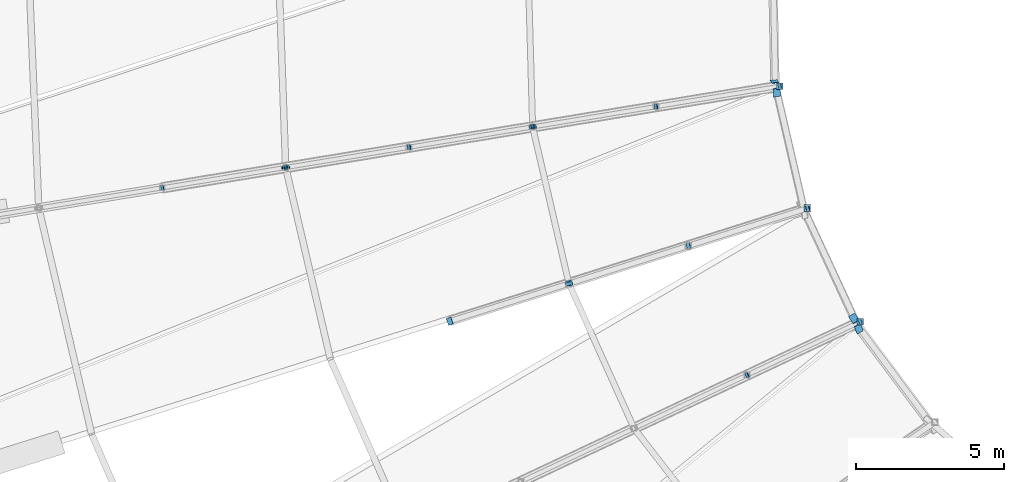
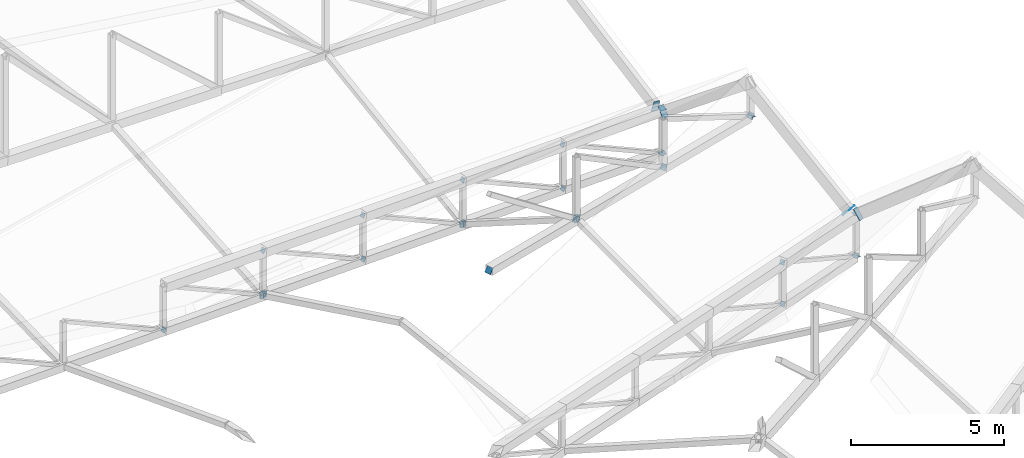
# One storey, part 282 of 344: 32 discrete accessories.
"""IFC4 building model written with IfcOpenShell, lengths in metres."""

from ifc_helpers import new_model, si_unit, direction, frame, origin, origin_2d, place, context, subcontext, project, spatial, rectangle, extrude, material, material_profile, profile_set, type_object, element, save


model = new_model("IFC4")

# Units and contexts
model_context = context("Model", 3, precision=1e-05, world=origin(), true_north=direction((0.0, 1.0)))
body_context = subcontext(model_context, "Body", "Model", "MODEL_VIEW")
ifc_project = project(units=[si_unit("LENGTHUNIT", "METRE"), si_unit("AREAUNIT", "SQUARE_METRE"), si_unit("VOLUMEUNIT", "CUBIC_METRE"), si_unit("PLANEANGLEUNIT", "RADIAN"), si_unit("MASSUNIT", "GRAM", prefix="KILO")], contexts=[model_context])

# Site, building, storey
site_placement = place(None, origin())
site = spatial("IfcSite", under=ifc_project, at=site_placement, CompositionType="ELEMENT")
building_placement = place(site_placement, origin())
building = spatial("IfcBuilding", under=site, at=building_placement, Name="Meseta Stadium", CompositionType="ELEMENT")
storey_placement = place(building_placement, frame((0.0, 0.0, 24.0)))
storey = spatial("IfcBuildingStorey", under=building, at=storey_placement, Name="L04", CompositionType="ELEMENT", Elevation=24.0)

# Discrete accessories
ifc_material_1 = material(Name="Steel S355", Category="steel")
ifc_material_profile_1 = material_profile(ifc_material_1, rectangle(XDim=0.179931640625, YDim=0.179931640625, at=origin_2d()), Name="PL 180x180")
ifc_profile_set_1 = profile_set([ifc_material_profile_1], Name="Steel S355")
discrete_accessory_type_1 = type_object("IfcDiscreteAccessoryType", Name="End plate 180x180x20", PredefinedType="ANCHORPLATE", material=ifc_profile_set_1)
discrete_accessory_1_placement = place(storey_placement, frame((-46.811767578125, -47.630615234375, 2.62548828125), z_axis=(-0.874931437699, -0.145821906283, 0.461769369896), x_axis=(0.164398987305, -0.986393923832, 0.0)))
element("IfcDiscreteAccessory", 1, at=discrete_accessory_1_placement, inside=storey, type_object=discrete_accessory_type_1, Name="End plate of ROOF TRUSS RT-37 diagonal", PredefinedType="ANCHORPLATE", context=body_context, shape_type="SweptSolid", body=[
    extrude(rectangle(XDim=0.179931640625, YDim=0.179931640625, at=origin_2d()), origin(), (0.0, 0.0, 1.0), 0.02001953125),
])
discrete_accessory_2_placement = place(storey_placement, frame((-50.99560546875, -48.31884765625, 4.854248046875), z_axis=(-0.872035849523, -0.147386340765, 0.466723412421), x_axis=(0.166650593889, -0.986016013844, 0.0)))
element("IfcDiscreteAccessory", 2, at=discrete_accessory_2_placement, inside=storey, type_object=discrete_accessory_type_1, Name="End plate of ROOF TRUSS RT-37 diagonal", PredefinedType="ANCHORPLATE", context=body_context, shape_type="SweptSolid", body=[
    extrude(rectangle(XDim=0.179931640625, YDim=0.179931640625, at=origin_2d()), origin(), (0.0, 0.0, 1.0), 0.019775390625),
])
discrete_accessory_3_placement = place(storey_placement, frame((-50.97802734375, -48.31591796875, 3.088134765625), z_axis=(-0.874931437699, -0.145821906283, 0.461769369896), x_axis=(0.164398987305, -0.986393923832, 0.0)))
element("IfcDiscreteAccessory", 3, at=discrete_accessory_3_placement, inside=storey, type_object=discrete_accessory_type_1, Name="End plate of ROOF TRUSS RT-37 diagonal", PredefinedType="ANCHORPLATE", context=body_context, shape_type="SweptSolid", body=[
    extrude(rectangle(XDim=0.179931640625, YDim=0.179931640625, at=origin_2d()), origin(), (0.0, 0.0, 1.0), 0.02001953125),
])
discrete_accessory_4_placement = place(storey_placement, frame((-55.161865234375, -49.004150390625, 5.317138671875), z_axis=(-0.872035849523, -0.147386340765, 0.466723412421), x_axis=(0.166650593889, -0.986016013844, 0.0)))
element("IfcDiscreteAccessory", 4, at=discrete_accessory_4_placement, inside=storey, type_object=discrete_accessory_type_1, Name="End plate of ROOF TRUSS RT-37 diagonal", PredefinedType="ANCHORPLATE", context=body_context, shape_type="SweptSolid", body=[
    extrude(rectangle(XDim=0.179931640625, YDim=0.179931640625, at=origin_2d()), origin(), (0.0, 0.0, 1.0), 0.019775390625),
])
for number, where, z_axis, x_axis, name in (
    (5, (-55.144287109375, -49.001220703125, 3.551025390625), (-0.874931437699, -0.145821906283, 0.461769369896), (0.164398987305, -0.986393923832, 0.0), "End plate of ROOF TRUSS RT-37 diagonal"),
    (6, (-59.327880859375, -49.689453125, 5.780029296875), (-0.874931437699, -0.145821906283, 0.461769369896), (0.164398987305, -0.986393923832, 0.0), "End plate of ROOF TRUSS RT-37 diagonal"),
):
    element("IfcDiscreteAccessory", number, at=place(storey_placement, frame(where, z_axis=z_axis, x_axis=x_axis)), inside=storey, type_object=discrete_accessory_type_1, Name=name, PredefinedType="ANCHORPLATE", context=body_context, shape_type="SweptSolid", body=[
        extrude(rectangle(XDim=0.179931640625, YDim=0.179931640625, at=origin_2d()), origin(), (0.0, 0.0, 1.0), 0.02001953125),
    ])
discrete_accessory_5_placement = place(storey_placement, frame((-59.310546875, -49.6865234375, 4.013916015625), z_axis=(-0.872035849523, -0.147386340765, 0.466723412421), x_axis=(0.166650593889, -0.986016013844, 0.0)))
element("IfcDiscreteAccessory", 7, at=discrete_accessory_5_placement, inside=storey, type_object=discrete_accessory_type_1, Name="End plate of ROOF TRUSS RT-37 diagonal", PredefinedType="ANCHORPLATE", context=body_context, shape_type="SweptSolid", body=[
    extrude(rectangle(XDim=0.179931640625, YDim=0.179931640625, at=origin_2d()), origin(), (0.0, 0.0, 1.0), 0.019775390625),
])
discrete_accessory_6_placement = place(storey_placement, frame((-63.494140625, -50.374755859375, 6.24267578125), z_axis=(-0.874931437699, -0.145821906283, 0.461769369896), x_axis=(0.164398987305, -0.986393923832, 0.0)))
element("IfcDiscreteAccessory", 8, at=discrete_accessory_6_placement, inside=storey, type_object=discrete_accessory_type_1, Name="End plate of ROOF TRUSS RT-37 diagonal", PredefinedType="ANCHORPLATE", context=body_context, shape_type="SweptSolid", body=[
    extrude(rectangle(XDim=0.179931640625, YDim=0.179931640625, at=origin_2d()), origin(), (0.0, 0.0, 1.0), 0.02001953125),
])
discrete_accessory_7_placement = place(storey_placement, frame((-63.476806640625, -50.3720703125, 4.4765625), z_axis=(-0.873552606789, -0.135339136263, 0.467535198), x_axis=(0.153102994509, -0.988210237284, 0.0)))
element("IfcDiscreteAccessory", 9, at=discrete_accessory_7_placement, inside=storey, type_object=discrete_accessory_type_1, Name="End plate of ROOF TRUSS RT-37 diagonal", PredefinedType="ANCHORPLATE", context=body_context, shape_type="SweptSolid", body=[
    extrude(rectangle(XDim=0.179931640625, YDim=0.179931640625, at=origin_2d()), origin(), (0.0, 0.0, 1.0), 0.019775390625),
])
for number, where, z_axis, x_axis, name in (
    (10, (-67.642822265625, -51.057373046875, 4.939453125), (-0.874931437699, -0.145821906283, 0.461769369896), (0.164398987305, -0.986393923832, 0.0), "End plate of ROOF TRUSS RT-37 diagonal"),
    (11, (-44.092041015625, -55.5732421875, 2.394287109375), (-0.802672654344, -0.377012913404, 0.462144861592), (0.425136471467, -0.905129261834, 0.0), "End plate of ROOF TRUSS RT-39 diagonal"),
    (12, (-47.92333984375, -57.378173828125, 4.570068359375), (-0.807162077407, -0.379121581812, 0.452499952486), (0.425136471467, -0.905129261834, 0.0), "End plate of ROOF TRUSS RT-39 diagonal"),
    (13, (-47.9072265625, -57.37060546875, 2.881103515625), (-0.802672654344, -0.377012913404, 0.462144861592), (0.425136471467, -0.905129261834, 0.0), "End plate of ROOF TRUSS RT-39 diagonal"),
):
    element("IfcDiscreteAccessory", number, at=place(storey_placement, frame(where, z_axis=z_axis, x_axis=x_axis)), inside=storey, type_object=discrete_accessory_type_1, Name=name, PredefinedType="ANCHORPLATE", context=body_context, shape_type="SweptSolid", body=[
        extrude(rectangle(XDim=0.179931640625, YDim=0.179931640625, at=origin_2d()), origin(), (0.0, 0.0, 1.0), 0.02001953125),
    ])
ifc_material_2 = material(Name="Steel S355", Category="steel")
ifc_material_profile_2 = material_profile(ifc_material_2, rectangle(XDim=0.219970703125, YDim=0.219970703125, at=origin_2d()), Name="PL 220x220")
ifc_profile_set_2 = profile_set([ifc_material_profile_2], Name="Steel S355")
discrete_accessory_type_2 = type_object("IfcDiscreteAccessoryType", Name="End plate 220x220x20", PredefinedType="ANCHORPLATE", material=ifc_profile_set_2)
discrete_accessory_8_placement = place(storey_placement, frame((-46.829345703125, -47.633544921875, 2.61474609375), z_axis=(0.0, 0.0, 1.0), x_axis=(1.0, 0.0, 0.0)))
element("IfcDiscreteAccessory", 14, at=discrete_accessory_8_placement, inside=storey, type_object=discrete_accessory_type_2, Name="End plate of ROOF TRUSS RT-37 post", PredefinedType="ANCHORPLATE", context=body_context, shape_type="SweptSolid", body=[
    extrude(rectangle(XDim=0.219970703125, YDim=0.219970703125, at=origin_2d()), origin(), (0.0, 0.0, 1.0), 0.02001953125),
])
discrete_accessory_9_placement = place(storey_placement, frame((-46.829345703125, -47.633544921875, 4.3916015625), z_axis=(0.0, 0.0, 1.0), x_axis=(1.0, 0.0, 0.0)))
element("IfcDiscreteAccessory", 15, at=discrete_accessory_9_placement, inside=storey, type_object=discrete_accessory_type_2, Name="End plate of ROOF TRUSS RT-37 post", PredefinedType="ANCHORPLATE", context=body_context, shape_type="SweptSolid", body=[
    extrude(rectangle(XDim=0.219970703125, YDim=0.219970703125, at=origin_2d()), origin(), (0.0, 0.0, 1.0), 0.019775390625),
])
discrete_accessory_10_placement = place(storey_placement, frame((-45.8662109375, -51.743896484375, 6.28515625), z_axis=(-0.859675052741, -0.266378185356, 0.435891576038), x_axis=(0.295976029358, -0.955195367475, 0.0)))
element("IfcDiscreteAccessory", 16, at=discrete_accessory_10_placement, inside=storey, type_object=discrete_accessory_type_2, Name="End plate of ROOF TRUSS RT-38 diagonal", PredefinedType="ANCHORPLATE", context=body_context, shape_type="SweptSolid", body=[
    extrude(rectangle(XDim=0.219970703125, YDim=0.219970703125, at=origin_2d()), origin(), (0.0, 0.0, 1.0), 0.020263671875),
])
for number, where, z_axis, x_axis, name in (
    (17, (-49.8935546875, -53.015380859375, 6.406005859375), (-0.809587449693, -0.25759600672, 0.527458489951), (0.303203657277, -0.952925780013, 0.0), "End plate of ROOF TRUSS RT-38 diagonal"),
    (18, (-53.920654296875, -54.287109375, 6.527099609375), (-0.765678081616, -0.243072406862, 0.595527396813), (0.302579132427, -0.953124267145, 0.0), "End plate of ROOF TRUSS RT-38 diagonal"),
    (19, (-44.108154296875, -55.580810546875, 2.383544921875), (0.0, 0.0, 1.0), (1.0, 0.0, 0.0), "End plate of ROOF TRUSS RT-39 post"),
    (20, (-44.108154296875, -55.580810546875, 4.0830078125), (0.0, 0.0, 1.0), (1.0, 0.0, 0.0), "End plate of ROOF TRUSS RT-39 post"),
):
    element("IfcDiscreteAccessory", number, at=place(storey_placement, frame(where, z_axis=z_axis, x_axis=x_axis)), inside=storey, type_object=discrete_accessory_type_2, Name=name, PredefinedType="ANCHORPLATE", context=body_context, shape_type="SweptSolid", body=[
        extrude(rectangle(XDim=0.219970703125, YDim=0.219970703125, at=origin_2d()), origin(), (0.0, 0.0, 1.0), 0.02001953125),
    ])
ifc_material_3 = material(Name="Steel S355", Category="steel")
ifc_material_profile_3 = material_profile(ifc_material_3, rectangle(XDim=0.239990234375, YDim=0.239990234375, at=origin_2d()), Name="PL 240x240")
ifc_profile_set_3 = profile_set([ifc_material_profile_3], Name="Steel S355")
discrete_accessory_type_3 = type_object("IfcDiscreteAccessoryType", Name="End plate 240x240x20", PredefinedType="ANCHORPLATE", material=ifc_profile_set_3)
discrete_accessory_11_placement = place(storey_placement, frame((-45.883544921875, -51.749267578125, 6.27392578125), z_axis=(0.0, 0.0, 1.0), x_axis=(1.0, 0.0, 0.0)))
element("IfcDiscreteAccessory", 21, at=discrete_accessory_11_placement, inside=storey, type_object=discrete_accessory_type_3, Name="End plate of ROOF TRUSS RT-38 post", PredefinedType="ANCHORPLATE", context=body_context, shape_type="SweptSolid", body=[
    extrude(rectangle(XDim=0.239990234375, YDim=0.239990234375, at=origin_2d()), origin(), (0.0, 0.0, 1.0), 0.02001953125),
])
discrete_accessory_12_placement = place(storey_placement, frame((-57.947998046875, -55.55859375, 6.6484375), z_axis=(-0.711723414214, -0.233150773622, 0.66263904082), x_axis=(0.311308129797, -0.950309027802, 0.0)))
element("IfcDiscreteAccessory", 22, at=discrete_accessory_12_placement, inside=storey, type_object=discrete_accessory_type_3, Name="End plate of ROOF TRUSS RT-38 diagonal", PredefinedType="ANCHORPLATE", context=body_context, shape_type="SweptSolid", body=[
    extrude(rectangle(XDim=0.239990234375, YDim=0.239990234375, at=origin_2d()), origin(), (0.0, 0.0, 1.0), 0.019775390625),
])
for number, where, z_axis, x_axis, name in (
    (23, (-55.161865234375, -49.004150390625, 3.560302734375), (0.036746939796, -0.979918394569, -0.195983678914), (0.999297615709, 0.037473660589, 0.0), "End plate of ROOF TRUSS STRUT RT-36/37"),
    (24, (-55.165771484375, -48.987060546875, 3.55078125), (0.195807487378, -0.856657757278, 0.477280750483), (0.974858506572, 0.222824801502, 0.0), "End plate of ROOF TRUSS STRUT RT-37/38"),
    (25, (-53.93603515625, -54.2919921875, 6.5390625), (0.194659302196, -0.851634447106, 0.486648255489), (0.974858506572, 0.222824801502, 0.0), "End plate of ROOF TRUSS STRUT RT-37/38"),
):
    element("IfcDiscreteAccessory", number, at=place(storey_placement, frame(where, z_axis=z_axis, x_axis=x_axis)), inside=storey, type_object=discrete_accessory_type_3, Name=name, PredefinedType="ANCHORPLATE", context=body_context, shape_type="SweptSolid", body=[
        extrude(rectangle(XDim=0.239990234375, YDim=0.239990234375, at=origin_2d()), origin(), (0.0, 0.0, 1.0), 0.02001953125),
    ])
discrete_accessory_13_placement = place(storey_placement, frame((-53.943115234375, -54.276123046875, 6.54931640625), z_axis=(0.350903456416, -0.786507747139, -0.508205005844), x_axis=(0.913231249272, 0.407441634291, 0.0)))
element("IfcDiscreteAccessory", 26, at=discrete_accessory_13_placement, inside=storey, type_object=discrete_accessory_type_3, Name="End plate of ROOF TRUSS STRUT RT-38/39", PredefinedType="ANCHORPLATE", context=body_context, shape_type="SweptSolid", body=[
    extrude(rectangle(XDim=0.239990234375, YDim=0.239990234375, at=origin_2d()), origin(), (0.0, 0.0, 1.0), 0.020263671875),
])
ifc_material_4 = material(Name="Steel S355", Category="steel")
ifc_material_profile_4 = material_profile(ifc_material_4, rectangle(XDim=0.239990234375, YDim=0.43994140625, at=origin_2d()), Name="PL 240x440")
ifc_profile_set_4 = profile_set([ifc_material_profile_4], Name="Steel S355")
discrete_accessory_type_4 = type_object("IfcDiscreteAccessoryType", Name="End plate 240x440x20", PredefinedType="ANCHORPLATE", material=ifc_profile_set_4)
discrete_accessory_14_placement = place(storey_placement, frame((-47.000732421875, -47.464111328125, 4.472412109375), z_axis=(0.012194215217, -0.97553721736, -0.219495873906), x_axis=(0.989965025353, 0.042684713438, -0.134711780538)))
element("IfcDiscreteAccessory", 27, at=discrete_accessory_14_placement, inside=storey, type_object=discrete_accessory_type_4, Name="End plate of TIP RING BEAM 37", PredefinedType="ANCHORPLATE", context=body_context, shape_type="SweptSolid", body=[
    extrude(rectangle(XDim=0.239990234375, YDim=0.43994140625, at=origin_2d()), origin(), (0.0, 0.0, 1.0), 0.02001953125),
])
discrete_accessory_15_placement = place(storey_placement, frame((-46.9248046875, -47.8310546875, 4.436279296875), z_axis=(0.171795306879, -0.760807787608, 0.625825760774), x_axis=(0.983034147867, 0.173836143666, -0.05852229731)))
element("IfcDiscreteAccessory", 28, at=discrete_accessory_15_placement, inside=storey, type_object=discrete_accessory_type_4, Name="End plate of TIP RING BEAM 38", PredefinedType="ANCHORPLATE", context=body_context, shape_type="SweptSolid", body=[
    extrude(rectangle(XDim=0.239990234375, YDim=0.43994140625, at=origin_2d()), origin(), (0.0, 0.0, 1.0), 0.019775390625),
])
discrete_accessory_16_placement = place(storey_placement, frame((-44.32177734375, -55.466064453125, 4.2314453125), z_axis=(0.327736521228, -0.691888211481, -0.64333465278), x_axis=(0.874589447696, 0.479727845641, -0.07038815309)))
element("IfcDiscreteAccessory", 29, at=discrete_accessory_16_placement, inside=storey, type_object=discrete_accessory_type_4, Name="End plate of TIP RING BEAM 39", PredefinedType="ANCHORPLATE", context=body_context, shape_type="SweptSolid", body=[
    extrude(rectangle(XDim=0.239990234375, YDim=0.43994140625, at=origin_2d()), origin(), (0.0, 0.0, 1.0), 0.02001953125),
])
discrete_accessory_17_placement = place(storey_placement, frame((-44.16259765625, -55.8046875, 4.22021484375), z_axis=(0.48471497294, -0.642247339146, 0.593775841852), x_axis=(0.844613562713, 0.520118795791, -0.126902986359)))
element("IfcDiscreteAccessory", 30, at=discrete_accessory_17_placement, inside=storey, type_object=discrete_accessory_type_4, Name="End plate of TIP RING BEAM 40", PredefinedType="ANCHORPLATE", context=body_context, shape_type="SweptSolid", body=[
    extrude(rectangle(XDim=0.239990234375, YDim=0.43994140625, at=origin_2d()), origin(), (0.0, 0.0, 1.0), 0.020263671875),
])
ifc_material_5 = material(Name="Steel S355", Category="steel")
ifc_material_profile_5 = material_profile(ifc_material_5, rectangle(XDim=0.260009765625, YDim=0.260009765625, at=origin_2d()), Name="PL 260x260")
ifc_profile_set_5 = profile_set([ifc_material_profile_5], Name="Steel S355")
discrete_accessory_type_5 = type_object("IfcDiscreteAccessoryType", Name="End plate 260x260x20", PredefinedType="ANCHORPLATE", material=ifc_profile_set_5)
discrete_accessory_18_placement = place(storey_placement, frame((-63.494140625, -50.374755859375, 4.48583984375), z_axis=(0.036236747072, -0.990471086628, -0.132868072596), x_axis=(0.999331426586, 0.036560905851, 0.0)))
element("IfcDiscreteAccessory", 31, at=discrete_accessory_18_placement, inside=storey, type_object=discrete_accessory_type_5, Name="End plate of ROOF TRUSS STRUT RT-36/37", PredefinedType="ANCHORPLATE", context=body_context, shape_type="SweptSolid", body=[
    extrude(rectangle(XDim=0.260009765625, YDim=0.260009765625, at=origin_2d()), origin(), (0.0, 0.0, 1.0), 0.020263671875),
])
discrete_accessory_19_placement = place(storey_placement, frame((-63.49853515625, -50.3564453125, 4.4794921875), z_axis=(0.22114624206, -0.921442675251, 0.319433460754), x_axis=(0.972387301981, 0.233372952475, 0.0)))
element("IfcDiscreteAccessory", 32, at=discrete_accessory_19_placement, inside=storey, type_object=discrete_accessory_type_5, Name="End plate of ROOF TRUSS STRUT RT-37/38", PredefinedType="ANCHORPLATE", context=body_context, shape_type="SweptSolid", body=[
    extrude(rectangle(XDim=0.260009765625, YDim=0.260009765625, at=origin_2d()), origin(), (0.0, 0.0, 1.0), 0.019775390625),
])

save(model, "model.ifc")
